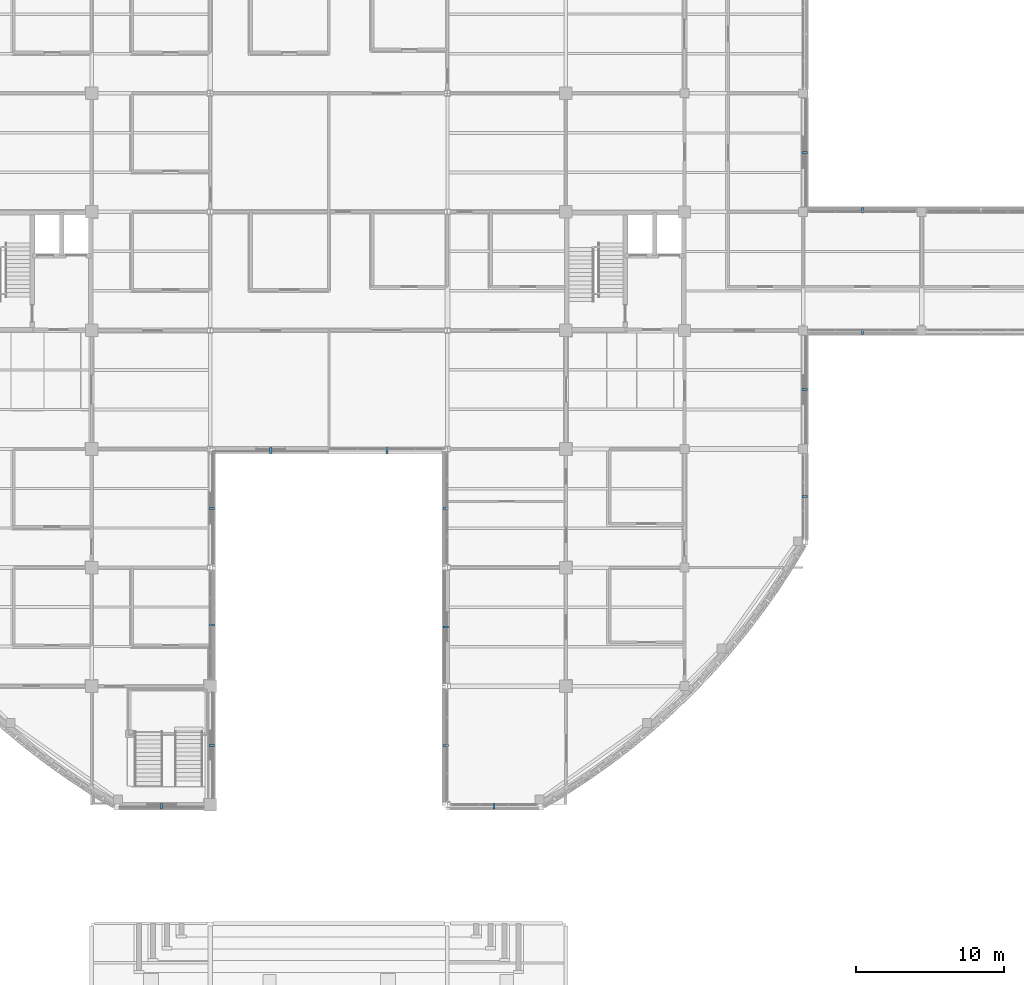
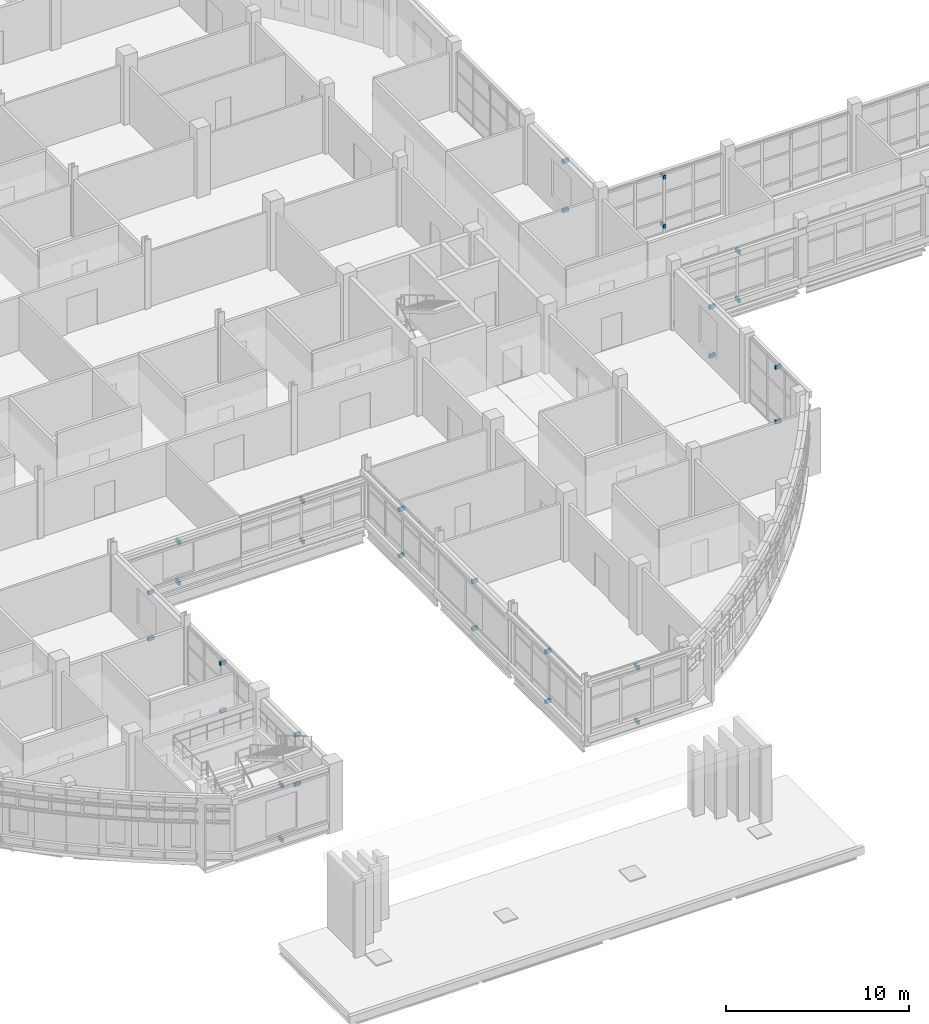
# One storey, part 102 of 121: 30 discrete accessories.
"""IFC4 building model written with IfcOpenShell, lengths in metres."""

from ifc_helpers import new_model, si_unit, derived_unit, direction, frame, origin, origin_2d, place, context, subcontext, project, spatial, rectangle, extrude, material, type_object, element, save


model = new_model("IFC4")

# Units and contexts
model_context = context("Model", 3, precision=1e-05, world=origin(), true_north=direction((0.0, 1.0)))
body_context = subcontext(model_context, "Body", "Model", "MODEL_VIEW")
ifc_project = project(units=[si_unit("LENGTHUNIT", "METRE"), si_unit("AREAUNIT", "SQUARE_METRE"), si_unit("VOLUMEUNIT", "CUBIC_METRE"), si_unit("PLANEANGLEUNIT", "RADIAN"), si_unit("MASSUNIT", "GRAM", prefix="KILO"), derived_unit("THERMALTRANSMITTANCEUNIT", [(si_unit("MASSUNIT", "GRAM", prefix="KILO"), 1), (si_unit("TIMEUNIT", "SECOND"), -3), (si_unit("THERMODYNAMICTEMPERATUREUNIT", "KELVIN"), -1)])], contexts=[model_context])

# Site, building, storey
site_placement = place(None, origin())
site = spatial("IfcSite", under=ifc_project, at=site_placement, CompositionType="ELEMENT")
building_placement = place(site_placement, origin())
building = spatial("IfcBuilding", under=site, at=building_placement, Name="Veyamyaing Civic Hall", CompositionType="ELEMENT")
storey_placement = place(building_placement, frame((0.0, 0.0, 5.280029296875)))
storey = spatial("IfcBuildingStorey", under=building, at=storey_placement, Name="L01", CompositionType="ELEMENT", Elevation=5.280029296875)

# Discrete accessories
ifc_material = material(Name="Steel S355J2", Category="steel")
discrete_accessory_type = type_object("IfcDiscreteAccessoryType", Name="BK-01", PredefinedType="BRACKET", material=ifc_material)
for number, where, z_axis, x_axis, name in (
    (1, (76.72216796875, 15.89990234375, 3.9951171875), (0.0, 0.0, 1.0), (0.0, -1.0, 0.0), "Sunshade anchor bracket BK-01 L01 S 10.3"),
    (2, (76.72216796875, 15.89990234375, 0.35986328125), (0.0, 0.0, 1.0), (0.0, -1.0, 0.0), "Lower ribbon anchor bracket BK-01 L01 S 10.3"),
    (3, (80.10009765625, 20.0, 3.67919921875), (0.0, 0.0, 1.0), (1.0, 0.0, 0.0), "Sunshade anchor bracket BK-01 L01 E 10.3"),
    (4, (80.10009765625, 20.0, 0.35986328125), (0.0, 0.0, 1.0), (1.0, 0.0, 0.0), "Lower ribbon anchor bracket BK-01 L01 E 10.3"),
    (5, (80.10009765625, 28.119384765625, 3.52392578125), (0.0, 0.0, 1.0), (1.0, 0.0, 0.0), "Sunshade anchor bracket BK-01 L01 E 10.4"),
    (6, (80.10009765625, 28.119384765625, 0.35986328125), (0.0, 0.0, 1.0), (1.0, 0.0, 0.0), "Lower ribbon anchor bracket BK-01 L01 E 10.4"),
    (7, (80.10009765625, 36.0, 3.44775390625), (0.0, 0.0, 1.0), (1.0, 0.0, 0.0), "Sunshade anchor bracket BK-01 L01 E 10.5"),
    (8, (80.10009765625, 36.0, 0.35986328125), (0.0, 0.0, 1.0), (1.0, 0.0, 0.0), "Lower ribbon anchor bracket BK-01 L01 E 10.5"),
    (9, (84.0859375, 39.89990234375, 3.06396484375), (0.0, 0.0, 1.0), (0.0, -1.0, 0.0), "Sunshade anchor bracket BK-01 L01 S 11.6"),
    (10, (84.0859375, 39.89990234375, 0.35986328125), (0.0, 0.0, 1.0), (0.0, -1.0, 0.0), "Lower ribbon anchor bracket BK-01 L01 S 11.6"),
    (11, (91.9140625, 39.89990234375, 3.06396484375), (0.0, 0.0, 1.0), (0.0, -1.0, 0.0), "Sunshade anchor bracket BK-01 L01 S 12.6"),
    (12, (91.9140625, 39.89990234375, 0.35986328125), (0.0, 0.0, 1.0), (0.0, -1.0, 0.0), "Lower ribbon anchor bracket BK-01 L01 S 12.6"),
    (13, (99.158935546875, 15.89990234375, 3.9951171875), (0.0, 0.0, 1.0), (0.0, -1.0, 0.0), "Sunshade anchor bracket BK-01 L01 S 13.3"),
    (14, (99.158935546875, 15.89990234375, 0.35986328125), (0.0, 0.0, 1.0), (0.0, -1.0, 0.0), "Lower ribbon anchor bracket BK-01 L01 S 13.3"),
    (15, (95.89990234375, 20.0, 3.68212890625), (0.0, 0.0, 1.0), (-1.0, 0.0, 0.0), "Sunshade anchor bracket BK-01 L01 W 13.3"),
    (16, (95.89990234375, 20.0, 0.35986328125), (0.0, 0.0, 1.0), (-1.0, 0.0, 0.0), "Lower ribbon anchor bracket BK-01 L01 W 13.3"),
    (17, (95.89990234375, 28.0, 3.51806640625), (0.0, 0.0, 1.0), (-1.0, 0.0, 0.0), "Sunshade anchor bracket BK-01 L01 W 13.4"),
    (18, (95.89990234375, 28.0, 0.35986328125), (0.0, 0.0, 1.0), (-1.0, 0.0, 0.0), "Lower ribbon anchor bracket BK-01 L01 W 13.4"),
    (19, (95.89990234375, 36.0, 3.4541015625), (0.0, 0.0, 1.0), (-1.0, 0.0, 0.0), "Sunshade anchor bracket BK-01 L01 W 13.5"),
    (20, (95.89990234375, 36.0, 0.35986328125), (0.0, 0.0, 1.0), (-1.0, 0.0, 0.0), "Lower ribbon anchor bracket BK-01 L01 W 13.5"),
    (21, (120.10009765625, 36.78466796875, 3.9951171875), (0.0, 0.0, 1.0), (1.0, 0.0, 0.0), "Sunshade anchor bracket BK-01 L01 E 15.5"),
    (22, (120.10009765625, 36.78466796875, 0.35986328125), (0.0, 0.0, 1.0), (1.0, 0.0, 0.0), "Lower ribbon anchor bracket BK-01 L01 E 15.5"),
    (23, (120.10009765625, 44.0, 3.6337890625), (0.0, 0.0, 1.0), (1.0, 0.0, 0.0), "Sunshade anchor bracket BK-01 L01 E 15.6"),
    (24, (120.10009765625, 44.0, 0.35986328125), (0.0, 0.0, 1.0), (1.0, 0.0, 0.0), "Lower ribbon anchor bracket BK-01 L01 E 15.6"),
    (25, (120.10009765625, 60.0, 3.63720703125), (0.0, 0.0, 1.0), (1.0, 0.0, 0.0), "Sunshade anchor bracket BK-01 L01 E 15.8"),
    (26, (120.10009765625, 60.0, 0.35986328125), (0.0, 0.0, 1.0), (1.0, 0.0, 0.0), "Lower ribbon anchor bracket BK-01 L01 E 15.8"),
    (27, (124.0, 47.89990234375, 3.57421875), (0.0, 0.0, 1.0), (0.0, -1.0, 0.0), "Sunshade anchor bracket BK-01 L01 S 16.7"),
    (28, (124.0, 47.89990234375, 0.35986328125), (0.0, 0.0, 1.0), (0.0, -1.0, 0.0), "Lower ribbon anchor bracket BK-01 L01 S 16.7"),
    (29, (124.0, 56.10009765625, 3.63720703125), (0.0, 0.0, 1.0), (0.0, 1.0, 0.0), "Sunshade anchor bracket BK-01 L01 N 16.7"),
    (30, (124.0, 56.10009765625, 0.35986328125), (0.0, 0.0, 1.0), (0.0, 1.0, 0.0), "Lower ribbon anchor bracket BK-01 L01 N 16.7"),
):
    element("IfcDiscreteAccessory", number, at=place(storey_placement, frame(where, z_axis=z_axis, x_axis=x_axis)), inside=storey, type_object=discrete_accessory_type, Name=name, PredefinedType="BRACKET", context=body_context, shape_type="SweptSolid", body=[
        extrude(rectangle(XDim=0.3798828125, YDim=0.139892578125, at=origin_2d()), origin(), (0.0, 0.0, 1.0), 0.239990234375),
    ])

save(model, "model.ifc")
